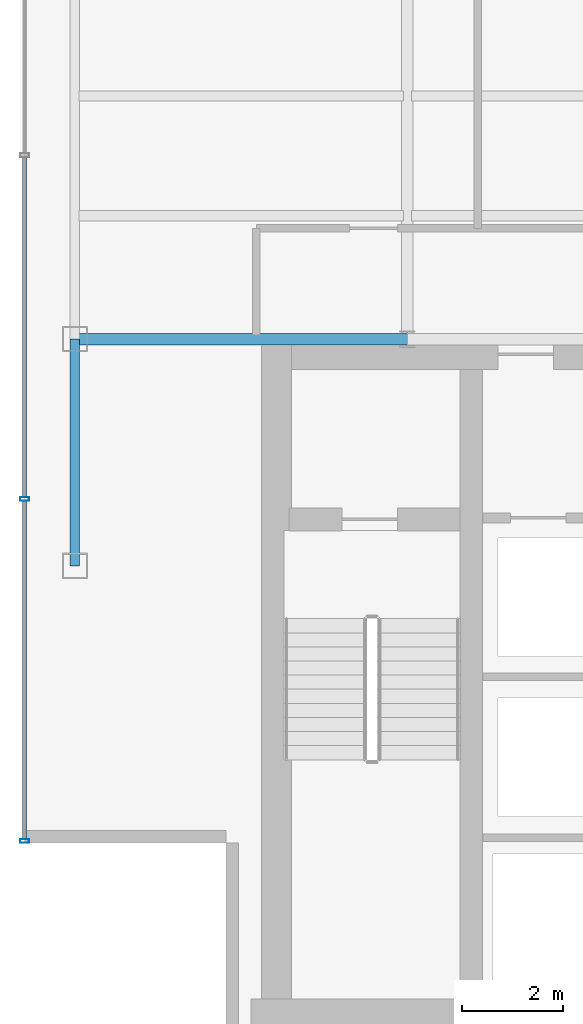
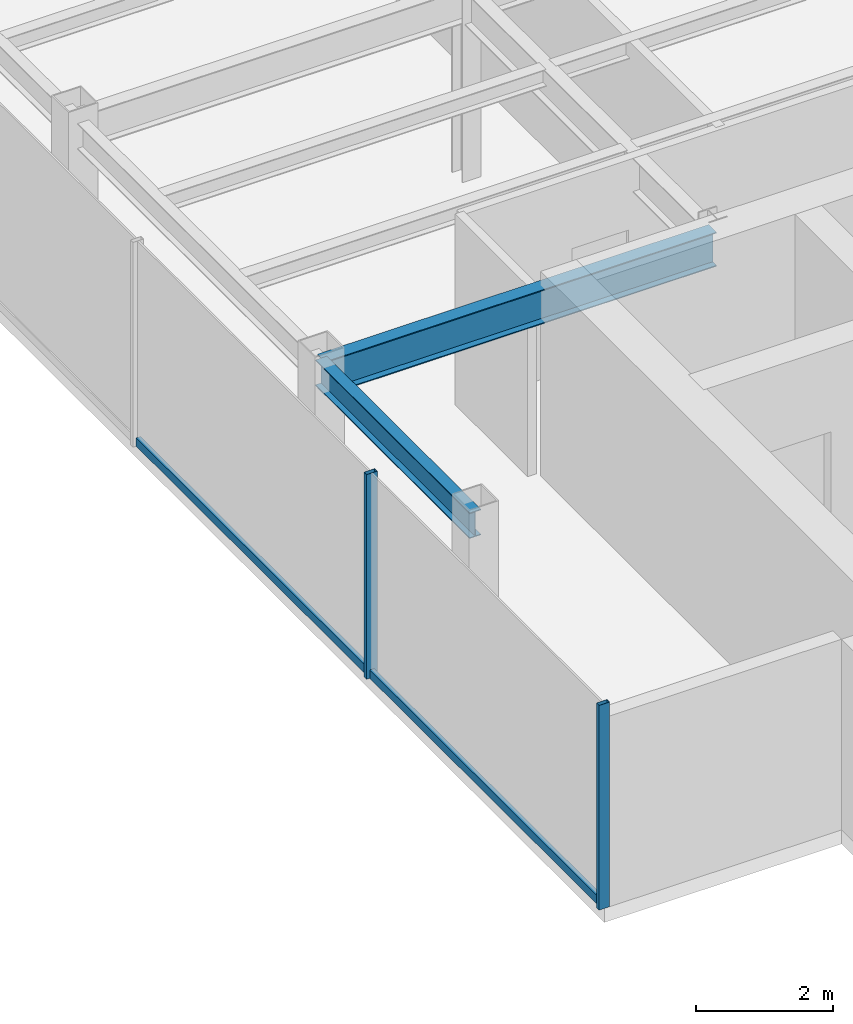
# One storey, part 3 of 22: 4 members, 2 beams, 1 element without a shape of its own.
"""IFC4 building model written with IfcOpenShell, lengths in metres."""

import ifcopenshell
import ifcopenshell.guid

model = None  # the IFC model being written
_history = None  # IfcOwnerHistory: only IFC2X3 demands one
_inside = {}  # id of a spatial element -> (the spatial element, [elements in it])
_under = {}  # id of a project, library or spatial element -> (it, [spatial elements below it])
_declared = {}  # id of a project -> (the project, [libraries it declares])
_typed = {}  # id of a type object -> (the type object, [elements of that type])
_made_of = {}  # id of a material, layer set ... -> (it, [elements and type objects made of it])


def new_model(schema):
    """Start an empty IFC model of exactly this schema.

    Asked for "IFC4X3", IfcOpenShell would pick the latest addendum, in which some entities
    have other attributes; the version numbers below select the first issue.
    IFC2X3 requires an IfcOwnerHistory on every rooted entity: one is made here for all.
    """
    global model, _history
    if schema == "IFC4X3":
        model = ifcopenshell.file(schema_version=(4, 3, 0, 0))
    else:
        model = ifcopenshell.file(schema=schema)
    _inside.clear()
    _under.clear()
    _declared.clear()
    _typed.clear()
    _made_of.clear()
    _history = None
    if model.schema == "IFC2X3":
        org = make("IfcOrganization", Name="unknown")
        user = make(
            "IfcPersonAndOrganization",
            ThePerson=make("IfcPerson", FamilyName="unknown"),
            TheOrganization=org,
        )
        app = make(
            "IfcApplication",
            ApplicationDeveloper=org,
            Version="unknown",
            ApplicationFullName="unknown",
            ApplicationIdentifier="unknown",
        )
        _history = make(
            "IfcOwnerHistory",
            OwningUser=user,
            OwningApplication=app,
            ChangeAction="ADDED",
            CreationDate=0,
        )
    return model


def make(cls, **values):
    """One entity of the class cls with the attributes given. An attribute that is None is left unset."""
    return model.create_entity(
        cls, **{name: value for name, value in values.items() if value is not None}
    )


def rooted(cls, **values):
    """An entity with a GlobalId (a new one), such as an element, a storey or a relation."""
    return make(cls, GlobalId=ifcopenshell.guid.new(), OwnerHistory=_history, **values)


def si_unit(unit_type, name, prefix=None):
    """IfcSIUnit, for example si_unit("LENGTHUNIT", "METRE", prefix="MILLI")."""
    return make("IfcSIUnit", UnitType=unit_type, Prefix=prefix, Name=name)


def derived_unit(unit_type, elements):
    """IfcDerivedUnit: a product of units, each with its exponent."""
    return make(
        "IfcDerivedUnit",
        Elements=[
            make("IfcDerivedUnitElement", Unit=unit, Exponent=power)
            for unit, power in elements
        ],
        UnitType=unit_type,
    )


def assignment(units):
    """IfcUnitAssignment: the units of a project."""
    return None if units is None else make("IfcUnitAssignment", Units=units)


def point(xyz):
    """IfcCartesianPoint."""
    return None if xyz is None else make("IfcCartesianPoint", Coordinates=xyz)


def direction(xyz):
    """IfcDirection."""
    return None if xyz is None else make("IfcDirection", DirectionRatios=xyz)


def frame(location, z_axis=None, x_axis=None):
    """IfcAxis2Placement3D, a coordinate frame: its origin and axes. An axis left out is left unset."""
    return make(
        "IfcAxis2Placement3D",
        Location=point(location),
        Axis=direction(z_axis),
        RefDirection=direction(x_axis),
    )


def frame_2d(location, x_axis=None):
    """IfcAxis2Placement2D, a coordinate frame in the plane: its origin and x axis."""
    return make(
        "IfcAxis2Placement2D", Location=point(location), RefDirection=direction(x_axis)
    )


def origin():
    """The frame at (0, 0, 0) with its axes left unset."""
    return frame((0.0, 0.0, 0.0))


def origin_2d():
    """The frame at (0, 0) in the plane with its x axis left unset."""
    return frame_2d((0.0, 0.0))


def place(relative_to, where):
    """IfcLocalPlacement: puts the frame where relative to a parent placement (None: the world)."""
    return make(
        "IfcLocalPlacement", PlacementRelTo=relative_to, RelativePlacement=where
    )


def context(
    kind, dimensions, precision=None, world=None, true_north=None, identifier=None
):
    """IfcGeometricRepresentationContext, for example the 3D "Model" context."""
    return make(
        "IfcGeometricRepresentationContext",
        ContextIdentifier=identifier,
        ContextType=kind,
        CoordinateSpaceDimension=dimensions,
        Precision=precision,
        WorldCoordinateSystem=world,
        TrueNorth=true_north,
    )


def subcontext(parent, identifier, kind, view, scale=None):
    """IfcGeometricRepresentationSubContext, for example "Body" below "Model"."""
    return make(
        "IfcGeometricRepresentationSubContext",
        ContextIdentifier=identifier,
        ContextType=kind,
        ParentContext=parent,
        TargetScale=scale,
        TargetView=view,
    )


def project(units=None, contexts=None):
    """IfcProject with its units and contexts."""
    return rooted(
        "IfcProject",
        Name="project",
        RepresentationContexts=contexts,
        UnitsInContext=assignment(units),
    )


def spatial(cls, under=None, at=None, **own):
    """A site, building, storey or space (cls), placed at a placement, below another one or the project."""
    s = rooted(cls, ObjectPlacement=at, **own)
    if under is not None:
        _under.setdefault(under.id(), (under, []))[1].append(s)
    return s


def profile(cls, at=None, kind="AREA", **sizes):
    """A parametric profile (cls). Its sizes go by their IFC names, for example OverallWidth=200.0."""
    return make(cls, ProfileType=kind, Position=at, **sizes)


def hollow_rectangle(**sizes):
    """IfcRectangleHollowProfileDef."""
    return profile("IfcRectangleHollowProfileDef", **sizes)


def i_section(**sizes):
    """IfcIShapeProfileDef."""
    return profile("IfcIShapeProfileDef", **sizes)


def extrude(swept, where, along, depth):
    """IfcExtrudedAreaSolid: the profile swept, set in the frame where, extruded along a direction by depth."""
    return make(
        "IfcExtrudedAreaSolid",
        SweptArea=swept,
        Position=where,
        ExtrudedDirection=direction(along),
        Depth=depth,
    )


def shape(context_of_items, identifier, shape_type, items):
    """IfcShapeRepresentation: the items that make up one representation, for example the "Body"."""
    return make(
        "IfcShapeRepresentation",
        ContextOfItems=context_of_items,
        RepresentationIdentifier=identifier,
        RepresentationType=shape_type,
        Items=items,
    )


def source(mapping_origin, context_of_items, identifier, shape_type, items):
    """IfcRepresentationMap: a shape defined once, which mapped items show again and again."""
    return make(
        "IfcRepresentationMap",
        MappingOrigin=mapping_origin,
        MappedRepresentation=shape(context_of_items, identifier, shape_type, items),
    )


def transform(
    local_origin,
    x_axis=None,
    y_axis=None,
    z_axis=None,
    scale=None,
    scale2=None,
    scale3=None,
    uniform=True,
):
    """IfcCartesianTransformationOperator3D, or its non-uniform kind. x_axis, y_axis, z_axis: its Axis1, 2, 3."""
    if uniform:
        return make(
            "IfcCartesianTransformationOperator3D",
            Axis1=direction(x_axis),
            Axis2=direction(y_axis),
            LocalOrigin=point(local_origin),
            Scale=scale,
            Axis3=direction(z_axis),
        )
    return make(
        "IfcCartesianTransformationOperator3DnonUniform",
        Axis1=direction(x_axis),
        Axis2=direction(y_axis),
        LocalOrigin=point(local_origin),
        Scale=scale,
        Axis3=direction(z_axis),
        Scale2=scale2,
        Scale3=scale3,
    )


def mapped(mapping_source, mapping_target):
    """IfcMappedItem: shows the shape of a source again, moved by a transform."""
    return make(
        "IfcMappedItem", MappingSource=mapping_source, MappingTarget=mapping_target
    )


def material(Name=None, Category=None):
    """IfcMaterial."""
    return make("IfcMaterial", Name=Name, Category=Category)


def material_profile(
    of_material, cross_section, Name=None, Category=None, Priority=None
):
    """IfcMaterialProfile: a cross section and its material."""
    return make(
        "IfcMaterialProfile",
        Name=Name,
        Material=of_material,
        Profile=cross_section,
        Priority=Priority,
        Category=Category,
    )


def profile_set(profiles, Name=None, composite=None):
    """IfcMaterialProfileSet."""
    return make(
        "IfcMaterialProfileSet",
        Name=Name,
        MaterialProfiles=profiles,
        CompositeProfile=composite,
    )


def made_of(thing, what):
    """Note that an element or type object is made of a material, layer set ...; save() writes the relation."""
    if what is not None:
        _made_of.setdefault(what.id(), (what, []))[1].append(thing)
    return thing


def type_object(cls, material=None, **own):
    """A type object (cls), such as IfcWallType, which elements share."""
    return made_of(rooted(cls, **own), material)


def element(
    cls,
    number,
    at=None,
    inside=None,
    cuts=None,
    type_object=None,
    material=None,
    context=None,
    identifier="Body",
    shape_type=None,
    held_by="IfcProductDefinitionShape",
    body=None,
    shapes=None,
    **own,
):
    """One element of the class cls, such as IfcWall. Its Tag is "e" and its number.

    at: its placement. inside: the storey or other place that contains it. cuts: it is an
    opening in that element (IfcRelVoidsElement). A single representation is given by context,
    identifier, shape_type and body (its items); several are given by shapes. held_by: the class
    of the entity that holds the representations. save() writes the other relations.
    """
    e = rooted(cls, Tag="e%d" % number, ObjectPlacement=at, **own)
    if body is not None:
        shapes = [shape(context, identifier, shape_type, body)]
    if shapes is not None:
        e.Representation = make(held_by, Representations=shapes)
    if inside is not None:
        _inside.setdefault(inside.id(), (inside, []))[1].append(e)
    if cuts is not None:
        rooted(
            "IfcRelVoidsElement", RelatingBuildingElement=cuts, RelatedOpeningElement=e
        )
    if type_object is not None:
        _typed.setdefault(type_object.id(), (type_object, []))[1].append(e)
    return made_of(e, material)


def aggregate(whole, parts):
    """IfcRelAggregates: a whole, such as a stair, and the parts it consists of."""
    return rooted("IfcRelAggregates", RelatingObject=whole, RelatedObjects=parts)


def save(model, path):
    """Write the relations noted so far, then the file.

    IfcRelAggregates (storeys below a building ...), IfcRelContainedInSpatialStructure (elements
    in a storey), IfcRelDefinesByType, IfcRelAssociatesMaterial and IfcRelDeclares: one each for
    every whole, place, type object, material and project.
    """
    for whole, parts in _under.values():
        aggregate(whole, parts)
    for where, things in _inside.values():
        rooted(
            "IfcRelContainedInSpatialStructure",
            RelatedElements=things,
            RelatingStructure=where,
        )
    for kind, things in _typed.values():
        rooted("IfcRelDefinesByType", RelatedObjects=things, RelatingType=kind)
    for what, things in _made_of.values():
        rooted("IfcRelAssociatesMaterial", RelatedObjects=things, RelatingMaterial=what)
    for by, libraries in _declared.values():
        rooted("IfcRelDeclares", RelatingContext=by, RelatedDefinitions=libraries)
    model.write(path)


model = new_model("IFC4")

# Units and contexts
model_context = context("Model", 3, precision=1e-05, world=origin(), true_north=direction((0.0, 1.0)))
body_context = subcontext(model_context, "Body", "Model", "MODEL_VIEW")
ifc_project = project(units=[si_unit("LENGTHUNIT", "METRE"), si_unit("AREAUNIT", "SQUARE_METRE"), si_unit("VOLUMEUNIT", "CUBIC_METRE"), si_unit("PLANEANGLEUNIT", "RADIAN"), si_unit("MASSUNIT", "GRAM", prefix="KILO"), derived_unit("THERMALTRANSMITTANCEUNIT", [(si_unit("POWERUNIT", "WATT"), 1), (si_unit("LENGTHUNIT", "METRE"), -2), (si_unit("THERMODYNAMICTEMPERATUREUNIT", "KELVIN"), -1)])], contexts=[model_context])

# Site, building, storey
site_placement = place(None, origin())
site = spatial("IfcSite", under=ifc_project, at=site_placement, CompositionType="ELEMENT")
building_placement = place(site_placement, origin())
building = spatial("IfcBuilding", under=site, at=building_placement, Name="Skarnbrae Concourse Arena and Tower", CompositionType="ELEMENT")
storey_placement = place(building_placement, frame((0.0, 0.0, 258.800048828125)))
storey = spatial("IfcBuildingStorey", under=building, at=storey_placement, Name="L67", CompositionType="ELEMENT", Elevation=258.800048828125)

# Beams
ifc_material_1 = material(Name="Steel CSA G40.21 350W", Category="steel")
ifc_material_profile_1 = material_profile(ifc_material_1, i_section(OverallWidth=0.22802734375, OverallDepth=0.60791015625, WebThickness=0.01123046875, FlangeThickness=0.017333984375, at=origin_2d()), Name="W610X113")
ifc_profile_set_1 = profile_set([ifc_material_profile_1], Name="Steel CSA G40.21 350W")
beam_type_1 = type_object("IfcBeamType", Name="BM-GIRD-W610X113", PredefinedType="BEAM", material=ifc_profile_set_1)
shared_shape_1 = source(origin(), body_context, "Body", "SweptSolid", [
    extrude(i_section(OverallWidth=0.22802734375, OverallDepth=0.60791015625, WebThickness=0.01123046875, FlangeThickness=0.017333984375, at=origin_2d()), origin(), (0.0, 0.0, 1.0), 6.60009765625),
])
beam_1_placement = place(storey_placement, frame((1.0, 14.0, 3.095947265625), z_axis=(1.0, 0.0, 0.0), x_axis=(0.0, 1.0, 0.0)))
element("IfcBeam", 1, at=beam_1_placement, inside=storey, type_object=beam_type_1, Name="L67 Primary E-W girder Y14.0-1", PredefinedType="BEAM", context=body_context, shape_type="MappedRepresentation", body=[
    mapped(shared_shape_1, transform((0.0, 0.0, 0.0))),
])
ifc_material_profile_2 = material_profile(ifc_material_1, i_section(OverallWidth=0.19091796875, OverallDepth=0.4599609375, WebThickness=0.010009765625, FlangeThickness=0.01611328125, at=origin_2d()), Name="W460X82")
ifc_profile_set_2 = profile_set([ifc_material_profile_2], Name="Steel CSA G40.21 350W")
beam_type_2 = type_object("IfcBeamType", Name="BM-SPAN-W460X82", PredefinedType="SPANDREL", material=ifc_profile_set_2)
shared_shape_2 = source(origin(), body_context, "Body", "SweptSolid", [
    extrude(i_section(OverallWidth=0.19091796875, OverallDepth=0.4599609375, WebThickness=0.010009765625, FlangeThickness=0.01611328125, at=origin_2d()), origin(), (0.0, 0.0, 1.0), 4.5),
])
beam_2_placement = place(storey_placement, frame((1.0, 9.5, 3.169921875), z_axis=(0.0, 1.0, 0.0), x_axis=(-1.0, 0.0, 0.0)))
element("IfcBeam", 2, at=beam_2_placement, inside=storey, type_object=beam_type_2, Name="L67 Perimeter spandrel X1.0-1", PredefinedType="SPANDREL", context=body_context, shape_type="MappedRepresentation", body=[
    mapped(shared_shape_2, transform((0.0, 0.0, 0.0))),
])

# Curtain wall, members
ifc_material_2 = material(Name="Bronze anodised aluminium 6063-T6", Category="aluminium")
curtain_wall_type = type_object("IfcCurtainWallType", Name="CW-SYS-05-HIGHZONE", PredefinedType="USERDEFINED", material=ifc_material_2)
curtain_wall_placement = place(storey_placement, origin())
curtain_wall = element("IfcCurtainWall", 3, at=curtain_wall_placement, inside=storey, type_object=curtain_wall_type, Name="L67 Unitised curtain wall CW-L67-E18", ObjectType="UNITISED CURTAIN WALL", PredefinedType="USERDEFINED")
ifc_material_profile_3 = material_profile(ifc_material_2, hollow_rectangle(XDim=0.074951171875, YDim=0.179931640625, WallThickness=0.00390625, at=origin_2d()), Name="ALU-MULL-75X180")
ifc_profile_set_3 = profile_set([ifc_material_profile_3], Name="Bronze anodised aluminium 6063-T6")
member_type_1 = type_object("IfcMemberType", Name="CWM-CW-05", PredefinedType="MULLION", material=ifc_profile_set_3)
shared_shape_3 = source(origin(), body_context, "Body", "SweptSolid", [
    extrude(hollow_rectangle(XDim=0.074951171875, YDim=0.179931640625, WallThickness=0.00390625, at=origin_2d()), origin(), (0.0, 0.0, 1.0), 3.64990234375),
])
member_1_placement = place(storey_placement, frame((0.0, 10.824951171875, 0.0), z_axis=(0.0, 0.0, 1.0), x_axis=(0.0, -1.0, 0.0)))
member_1 = element("IfcMember", 4, at=member_1_placement, type_object=member_type_1, Name="CW-L67-E18 Mullion 4", PredefinedType="MULLION", context=body_context, shape_type="MappedRepresentation", body=[
    mapped(shared_shape_3, transform((0.0, 0.0, 0.0))),
])
member_2_placement = place(storey_placement, frame((0.0, 4.03759765625, 0.0), z_axis=(0.0, 0.0, 1.0), x_axis=(0.0, -1.0, 0.0)))
member_2 = element("IfcMember", 5, at=member_2_placement, type_object=member_type_1, Name="CW-L67-E18 Mullion 5", PredefinedType="MULLION", context=body_context, shape_type="MappedRepresentation", body=[
    mapped(shared_shape_3, transform((0.0, 0.0, 0.0))),
])
ifc_material_profile_4 = material_profile(ifc_material_2, hollow_rectangle(XDim=0.074951171875, YDim=0.14990234375, WallThickness=0.00390625, at=origin_2d()), Name="ALU-TRAN-75X150")
ifc_profile_set_4 = profile_set([ifc_material_profile_4], Name="Bronze anodised aluminium 6063-T6")
member_type_2 = type_object("IfcMemberType", Name="CWT-CW-05", PredefinedType="USERDEFINED", material=ifc_profile_set_4)
shared_shape_4 = source(origin(), body_context, "Body", "SweptSolid", [
    extrude(hollow_rectangle(XDim=0.074951171875, YDim=0.14990234375, WallThickness=0.00390625, at=origin_2d()), origin(), (0.0, 0.0, 1.0), 6.712646484375),
])
member_3_placement = place(storey_placement, frame((0.0, 10.78759765625, 0.074951171875), z_axis=(0.0, -1.0, 0.0), x_axis=(1.0, 0.0, 0.0)))
member_3 = element("IfcMember", 6, at=member_3_placement, type_object=member_type_2, Name="CW-L67-E18 Transom 4", ObjectType="TRANSOM", PredefinedType="USERDEFINED", context=body_context, shape_type="MappedRepresentation", body=[
    mapped(shared_shape_4, transform((0.0, 0.0, 0.0))),
])
shared_shape_5 = source(origin(), body_context, "Body", "SweptSolid", [
    extrude(hollow_rectangle(XDim=0.074951171875, YDim=0.14990234375, WallThickness=0.00390625, at=origin_2d()), origin(), (0.0, 0.0, 1.0), 6.75),
])
member_4_placement = place(storey_placement, frame((0.0, 17.612548828125, 0.074951171875), z_axis=(0.0, -1.0, 0.0), x_axis=(1.0, 0.0, 0.0)))
member_4 = element("IfcMember", 7, at=member_4_placement, type_object=member_type_2, Name="CW-L67-E18 Transom 3", ObjectType="TRANSOM", PredefinedType="USERDEFINED", context=body_context, shape_type="MappedRepresentation", body=[
    mapped(shared_shape_5, transform((0.0, 0.0, 0.0))),
])
aggregate(curtain_wall, [member_1, member_2, member_4, member_3])

save(model, "model.ifc")
